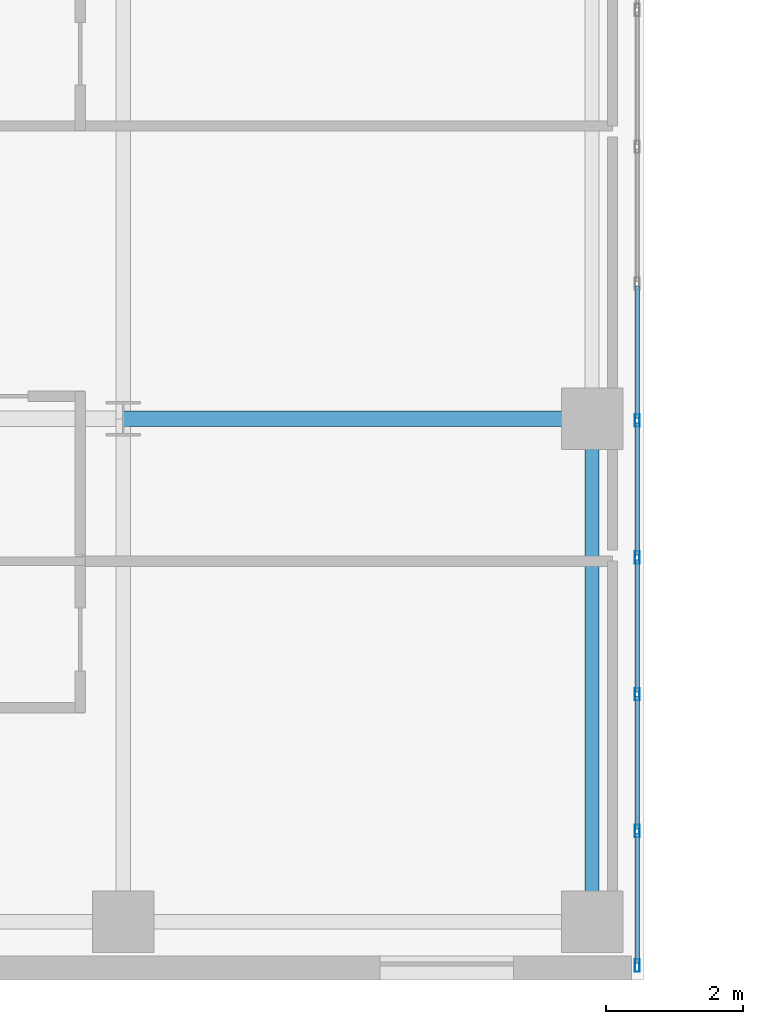
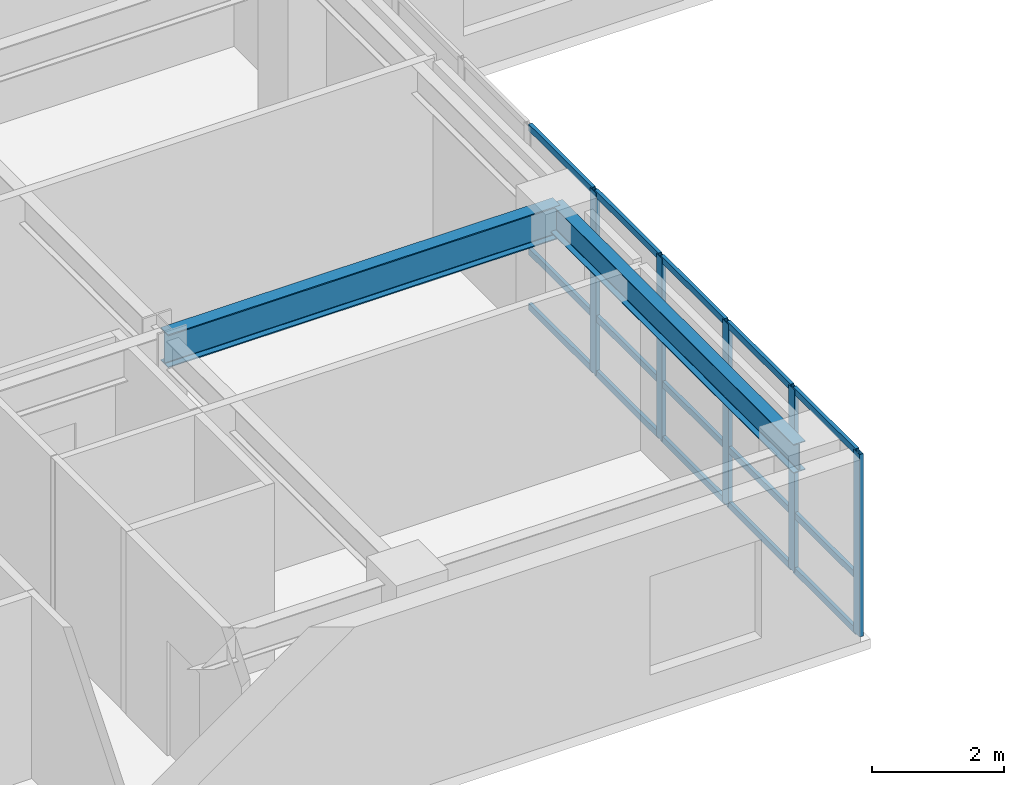
# One storey, part 6 of 30: 20 members, 2 beams, 1 element without a shape of its own.
"""IFC4 building model written with IfcOpenShell, lengths in metres."""

import ifcopenshell
import ifcopenshell.guid

model = None  # the IFC model being written
_history = None  # IfcOwnerHistory: only IFC2X3 demands one
_inside = {}  # id of a spatial element -> (the spatial element, [elements in it])
_under = {}  # id of a project, library or spatial element -> (it, [spatial elements below it])
_declared = {}  # id of a project -> (the project, [libraries it declares])
_typed = {}  # id of a type object -> (the type object, [elements of that type])
_made_of = {}  # id of a material, layer set ... -> (it, [elements and type objects made of it])


def new_model(schema):
    """Start an empty IFC model of exactly this schema.

    Asked for "IFC4X3", IfcOpenShell would pick the latest addendum, in which some entities
    have other attributes; the version numbers below select the first issue.
    IFC2X3 requires an IfcOwnerHistory on every rooted entity: one is made here for all.
    """
    global model, _history
    if schema == "IFC4X3":
        model = ifcopenshell.file(schema_version=(4, 3, 0, 0))
    else:
        model = ifcopenshell.file(schema=schema)
    _inside.clear()
    _under.clear()
    _declared.clear()
    _typed.clear()
    _made_of.clear()
    _history = None
    if model.schema == "IFC2X3":
        org = make("IfcOrganization", Name="unknown")
        user = make(
            "IfcPersonAndOrganization",
            ThePerson=make("IfcPerson", FamilyName="unknown"),
            TheOrganization=org,
        )
        app = make(
            "IfcApplication",
            ApplicationDeveloper=org,
            Version="unknown",
            ApplicationFullName="unknown",
            ApplicationIdentifier="unknown",
        )
        _history = make(
            "IfcOwnerHistory",
            OwningUser=user,
            OwningApplication=app,
            ChangeAction="ADDED",
            CreationDate=0,
        )
    return model


def make(cls, **values):
    """One entity of the class cls with the attributes given. An attribute that is None is left unset."""
    return model.create_entity(
        cls, **{name: value for name, value in values.items() if value is not None}
    )


def rooted(cls, **values):
    """An entity with a GlobalId (a new one), such as an element, a storey or a relation."""
    return make(cls, GlobalId=ifcopenshell.guid.new(), OwnerHistory=_history, **values)


def si_unit(unit_type, name, prefix=None):
    """IfcSIUnit, for example si_unit("LENGTHUNIT", "METRE", prefix="MILLI")."""
    return make("IfcSIUnit", UnitType=unit_type, Prefix=prefix, Name=name)


def assignment(units):
    """IfcUnitAssignment: the units of a project."""
    return None if units is None else make("IfcUnitAssignment", Units=units)


def point(xyz):
    """IfcCartesianPoint."""
    return None if xyz is None else make("IfcCartesianPoint", Coordinates=xyz)


def direction(xyz):
    """IfcDirection."""
    return None if xyz is None else make("IfcDirection", DirectionRatios=xyz)


def frame(location, z_axis=None, x_axis=None):
    """IfcAxis2Placement3D, a coordinate frame: its origin and axes. An axis left out is left unset."""
    return make(
        "IfcAxis2Placement3D",
        Location=point(location),
        Axis=direction(z_axis),
        RefDirection=direction(x_axis),
    )


def frame_2d(location, x_axis=None):
    """IfcAxis2Placement2D, a coordinate frame in the plane: its origin and x axis."""
    return make(
        "IfcAxis2Placement2D", Location=point(location), RefDirection=direction(x_axis)
    )


def origin():
    """The frame at (0, 0, 0) with its axes left unset."""
    return frame((0.0, 0.0, 0.0))


def origin_2d():
    """The frame at (0, 0) in the plane with its x axis left unset."""
    return frame_2d((0.0, 0.0))


def place(relative_to, where):
    """IfcLocalPlacement: puts the frame where relative to a parent placement (None: the world)."""
    return make(
        "IfcLocalPlacement", PlacementRelTo=relative_to, RelativePlacement=where
    )


def context(
    kind, dimensions, precision=None, world=None, true_north=None, identifier=None
):
    """IfcGeometricRepresentationContext, for example the 3D "Model" context."""
    return make(
        "IfcGeometricRepresentationContext",
        ContextIdentifier=identifier,
        ContextType=kind,
        CoordinateSpaceDimension=dimensions,
        Precision=precision,
        WorldCoordinateSystem=world,
        TrueNorth=true_north,
    )


def subcontext(parent, identifier, kind, view, scale=None):
    """IfcGeometricRepresentationSubContext, for example "Body" below "Model"."""
    return make(
        "IfcGeometricRepresentationSubContext",
        ContextIdentifier=identifier,
        ContextType=kind,
        ParentContext=parent,
        TargetScale=scale,
        TargetView=view,
    )


def project(units=None, contexts=None):
    """IfcProject with its units and contexts."""
    return rooted(
        "IfcProject",
        Name="project",
        RepresentationContexts=contexts,
        UnitsInContext=assignment(units),
    )


def spatial(cls, under=None, at=None, **own):
    """A site, building, storey or space (cls), placed at a placement, below another one or the project."""
    s = rooted(cls, ObjectPlacement=at, **own)
    if under is not None:
        _under.setdefault(under.id(), (under, []))[1].append(s)
    return s


def profile(cls, at=None, kind="AREA", **sizes):
    """A parametric profile (cls). Its sizes go by their IFC names, for example OverallWidth=200.0."""
    return make(cls, ProfileType=kind, Position=at, **sizes)


def hollow_rectangle(**sizes):
    """IfcRectangleHollowProfileDef."""
    return profile("IfcRectangleHollowProfileDef", **sizes)


def i_section(**sizes):
    """IfcIShapeProfileDef."""
    return profile("IfcIShapeProfileDef", **sizes)


def extrude(swept, where, along, depth):
    """IfcExtrudedAreaSolid: the profile swept, set in the frame where, extruded along a direction by depth."""
    return make(
        "IfcExtrudedAreaSolid",
        SweptArea=swept,
        Position=where,
        ExtrudedDirection=direction(along),
        Depth=depth,
    )


def shape(context_of_items, identifier, shape_type, items):
    """IfcShapeRepresentation: the items that make up one representation, for example the "Body"."""
    return make(
        "IfcShapeRepresentation",
        ContextOfItems=context_of_items,
        RepresentationIdentifier=identifier,
        RepresentationType=shape_type,
        Items=items,
    )


def source(mapping_origin, context_of_items, identifier, shape_type, items):
    """IfcRepresentationMap: a shape defined once, which mapped items show again and again."""
    return make(
        "IfcRepresentationMap",
        MappingOrigin=mapping_origin,
        MappedRepresentation=shape(context_of_items, identifier, shape_type, items),
    )


def transform(
    local_origin,
    x_axis=None,
    y_axis=None,
    z_axis=None,
    scale=None,
    scale2=None,
    scale3=None,
    uniform=True,
):
    """IfcCartesianTransformationOperator3D, or its non-uniform kind. x_axis, y_axis, z_axis: its Axis1, 2, 3."""
    if uniform:
        return make(
            "IfcCartesianTransformationOperator3D",
            Axis1=direction(x_axis),
            Axis2=direction(y_axis),
            LocalOrigin=point(local_origin),
            Scale=scale,
            Axis3=direction(z_axis),
        )
    return make(
        "IfcCartesianTransformationOperator3DnonUniform",
        Axis1=direction(x_axis),
        Axis2=direction(y_axis),
        LocalOrigin=point(local_origin),
        Scale=scale,
        Axis3=direction(z_axis),
        Scale2=scale2,
        Scale3=scale3,
    )


def mapped(mapping_source, mapping_target):
    """IfcMappedItem: shows the shape of a source again, moved by a transform."""
    return make(
        "IfcMappedItem", MappingSource=mapping_source, MappingTarget=mapping_target
    )


def material(Name=None, Category=None):
    """IfcMaterial."""
    return make("IfcMaterial", Name=Name, Category=Category)


def layer(
    of_material, thickness, ventilated=None, Name=None, Category=None, Priority=None
):
    """IfcMaterialLayer: one layer of a wall or slab, of a material (None: an air gap)."""
    return make(
        "IfcMaterialLayer",
        Material=of_material,
        LayerThickness=thickness,
        IsVentilated=ventilated,
        Name=Name,
        Category=Category,
        Priority=Priority,
    )


def layer_set(layers, Name=None):
    """IfcMaterialLayerSet."""
    return make("IfcMaterialLayerSet", MaterialLayers=layers, LayerSetName=Name)


def material_profile(
    of_material, cross_section, Name=None, Category=None, Priority=None
):
    """IfcMaterialProfile: a cross section and its material."""
    return make(
        "IfcMaterialProfile",
        Name=Name,
        Material=of_material,
        Profile=cross_section,
        Priority=Priority,
        Category=Category,
    )


def profile_set(profiles, Name=None, composite=None):
    """IfcMaterialProfileSet."""
    return make(
        "IfcMaterialProfileSet",
        Name=Name,
        MaterialProfiles=profiles,
        CompositeProfile=composite,
    )


def made_of(thing, what):
    """Note that an element or type object is made of a material, layer set ...; save() writes the relation."""
    if what is not None:
        _made_of.setdefault(what.id(), (what, []))[1].append(thing)
    return thing


def type_object(cls, material=None, **own):
    """A type object (cls), such as IfcWallType, which elements share."""
    return made_of(rooted(cls, **own), material)


def type_shapes(of_type, sources):
    """Give a type object the sources (RepresentationMaps) that its elements show as mapped items."""
    of_type.RepresentationMaps = sources


def element(
    cls,
    number,
    at=None,
    inside=None,
    cuts=None,
    type_object=None,
    material=None,
    context=None,
    identifier="Body",
    shape_type=None,
    held_by="IfcProductDefinitionShape",
    body=None,
    shapes=None,
    **own,
):
    """One element of the class cls, such as IfcWall. Its Tag is "e" and its number.

    at: its placement. inside: the storey or other place that contains it. cuts: it is an
    opening in that element (IfcRelVoidsElement). A single representation is given by context,
    identifier, shape_type and body (its items); several are given by shapes. held_by: the class
    of the entity that holds the representations. save() writes the other relations.
    """
    e = rooted(cls, Tag="e%d" % number, ObjectPlacement=at, **own)
    if body is not None:
        shapes = [shape(context, identifier, shape_type, body)]
    if shapes is not None:
        e.Representation = make(held_by, Representations=shapes)
    if inside is not None:
        _inside.setdefault(inside.id(), (inside, []))[1].append(e)
    if cuts is not None:
        rooted(
            "IfcRelVoidsElement", RelatingBuildingElement=cuts, RelatedOpeningElement=e
        )
    if type_object is not None:
        _typed.setdefault(type_object.id(), (type_object, []))[1].append(e)
    return made_of(e, material)


def aggregate(whole, parts):
    """IfcRelAggregates: a whole, such as a stair, and the parts it consists of."""
    return rooted("IfcRelAggregates", RelatingObject=whole, RelatedObjects=parts)


def save(model, path):
    """Write the relations noted so far, then the file.

    IfcRelAggregates (storeys below a building ...), IfcRelContainedInSpatialStructure (elements
    in a storey), IfcRelDefinesByType, IfcRelAssociatesMaterial and IfcRelDeclares: one each for
    every whole, place, type object, material and project.
    """
    for whole, parts in _under.values():
        aggregate(whole, parts)
    for where, things in _inside.values():
        rooted(
            "IfcRelContainedInSpatialStructure",
            RelatedElements=things,
            RelatingStructure=where,
        )
    for kind, things in _typed.values():
        rooted("IfcRelDefinesByType", RelatedObjects=things, RelatingType=kind)
    for what, things in _made_of.values():
        rooted("IfcRelAssociatesMaterial", RelatedObjects=things, RelatingMaterial=what)
    for by, libraries in _declared.values():
        rooted("IfcRelDeclares", RelatingContext=by, RelatedDefinitions=libraries)
    model.write(path)


model = new_model("IFC4")

# Units and contexts
model_context = context("Model", 3, precision=1e-05, world=origin(), true_north=direction((0.0, 1.0)))
body_context = subcontext(model_context, "Body", "Model", "MODEL_VIEW")
ifc_project = project(units=[si_unit("LENGTHUNIT", "METRE"), si_unit("AREAUNIT", "SQUARE_METRE"), si_unit("VOLUMEUNIT", "CUBIC_METRE"), si_unit("PLANEANGLEUNIT", "RADIAN"), si_unit("MASSUNIT", "GRAM", prefix="KILO")], contexts=[model_context])

# Site, building, storey
site_placement = place(None, origin())
site = spatial("IfcSite", under=ifc_project, at=site_placement, CompositionType="ELEMENT")
building_placement = place(site_placement, origin())
building = spatial("IfcBuilding", under=site, at=building_placement, Name="Tolvann Quenvar Hotel", CompositionType="ELEMENT")
storey_placement = place(building_placement, frame((0.0, 0.0, 100.89990234375)))
storey = spatial("IfcBuildingStorey", under=building, at=storey_placement, Name="L25", CompositionType="ELEMENT", Elevation=100.89990234375)

# Beams
ifc_material_1 = material(Name="Steel Grade 350", Category="steel")
ifc_material_profile_1 = material_profile(ifc_material_1, i_section(OverallWidth=0.22900390625, OverallDepth=0.612060546875, WebThickness=0.011962890625, FlangeThickness=0.01953125, FilletRadius=0.013916015625, at=origin_2d()), Name="610UB125")
ifc_profile_set_1 = profile_set([ifc_material_profile_1], Name="Steel Grade 350")
beam_type_1 = type_object("IfcBeamType", Name="BM_GIRD_610UB125", PredefinedType="BEAM", material=ifc_profile_set_1)
shared_shape_1 = source(origin(), body_context, "Body", "SweptSolid", [
    extrude(i_section(OverallWidth=0.22900390625, OverallDepth=0.612060546875, WebThickness=0.011962890625, FlangeThickness=0.01953125, FilletRadius=0.013916015625, at=origin_2d()), origin(), (0.0, 0.0, 1.0), 6.85009765625),
])
type_shapes(beam_type_1, [shared_shape_1])
beam_1_placement = place(storey_placement, frame((15.199951171875, 8.199951171875, 3.064208984375), z_axis=(1.0, 0.0, 0.0), x_axis=(0.0, 1.0, 0.0)))
element("IfcBeam", 1, at=beam_1_placement, inside=storey, type_object=beam_type_1, Name="BM-L25-EW-3-D3-E3", PredefinedType="BEAM", context=body_context, shape_type="MappedRepresentation", body=[
    mapped(shared_shape_1, transform((0.0, 0.0, 0.0), x_axis=(1.0, 0.0, 0.0), y_axis=(0.0, 1.0, 0.0), z_axis=(0.0, 0.0, 1.0), scale=1.0)),
])
ifc_material_profile_2 = material_profile(ifc_material_1, i_section(OverallWidth=0.208984375, OverallDepth=0.532958984375, WebThickness=0.01025390625, FlangeThickness=0.015625, FilletRadius=0.013916015625, at=origin_2d()), Name="530UB92")
ifc_profile_set_2 = profile_set([ifc_material_profile_2], Name="Steel Grade 350")
beam_type_2 = type_object("IfcBeamType", Name="BM_GIRD_530UB92", PredefinedType="BEAM", material=ifc_profile_set_2)
shared_shape_2 = source(origin(), body_context, "Body", "SweptSolid", [
    extrude(i_section(OverallWidth=0.208984375, OverallDepth=0.532958984375, WebThickness=0.01025390625, FlangeThickness=0.015625, FilletRadius=0.013916015625, at=origin_2d()), origin(), (0.0, 0.0, 1.0), 7.349853515625),
])
type_shapes(beam_type_2, [shared_shape_2])
beam_2_placement = place(storey_placement, frame((22.050048828125, 0.85009765625, 3.103515625), z_axis=(0.0, 1.0, 0.0), x_axis=(-1.0, 0.0, 0.0)))
element("IfcBeam", 2, at=beam_2_placement, inside=storey, type_object=beam_type_2, Name="BM-L25-NS-E2-E3", PredefinedType="BEAM", context=body_context, shape_type="MappedRepresentation", body=[
    mapped(shared_shape_2, transform((0.0, 0.0, 0.0), x_axis=(1.0, 0.0, 0.0), y_axis=(0.0, 1.0, 0.0), z_axis=(0.0, 0.0, 1.0), scale=1.0)),
])

# Curtain wall, members
ifc_material_2 = material(Name="Thermally broken anodised architectural aluminium 6063-T6 and laminated low-E glass", Category="aluminium")
ifc_layer = layer(ifc_material_2, 0.179931640625)
ifc_layer_set = layer_set([ifc_layer], Name="Thermally broken anodised architectural aluminium 6063-T6 and laminated low-E glass")
curtain_wall_type = type_object("IfcCurtainWallType", Name="CW_SYS_SLOT_03", PredefinedType="USERDEFINED", material=ifc_layer_set)
curtain_wall_placement = place(storey_placement, origin())
curtain_wall = element("IfcCurtainWall", 3, at=curtain_wall_placement, inside=storey, type_object=curtain_wall_type, Name="Curtain Wall CW-SLOT-03 (CWR-L25-E05)", ObjectType="UNITISED CURTAIN WALL", PredefinedType="USERDEFINED")
ifc_material_3 = material(Name="Anodised architectural aluminium 6063-T6 framing", Category="aluminium")
ifc_material_profile_3 = material_profile(ifc_material_3, hollow_rectangle(XDim=0.070068359375, YDim=0.179931640625, WallThickness=0.00390625, at=origin_2d()), Name="180x70x4RHS")
ifc_profile_set_3 = profile_set([ifc_material_profile_3], Name="Anodised architectural aluminium 6063-T6 framing")
member_type_1 = type_object("IfcMemberType", Name="CW_MULL_180x70", PredefinedType="MULLION", material=ifc_profile_set_3)
shared_shape_3 = source(origin(), body_context, "Body", "SweptSolid", [
    extrude(hollow_rectangle(XDim=0.070068359375, YDim=0.179931640625, WallThickness=0.00390625, at=origin_2d()), origin(), (0.0, 0.0, 1.0), 3.3701171875),
])
type_shapes(member_type_1, [shared_shape_3])
member_1_placement = place(storey_placement, frame((22.7099609375, 0.2099609375, 0.0), z_axis=(0.0, 0.0, 1.0), x_axis=(-1.0, 0.0, 0.0)))
member_1 = element("IfcMember", 4, at=member_1_placement, type_object=member_type_1, Name="CW-SLOT-03 mullion 1", PredefinedType="MULLION", context=body_context, shape_type="MappedRepresentation", body=[
    mapped(shared_shape_3, transform((0.0, 0.0, 0.0), x_axis=(1.0, 0.0, 0.0), y_axis=(0.0, 1.0, 0.0), z_axis=(0.0, 0.0, 1.0), scale=1.0)),
])
member_2_placement = place(storey_placement, frame((22.7099609375, 2.175048828125, 0.0), z_axis=(0.0, 0.0, 1.0), x_axis=(-1.0, 0.0, 0.0)))
member_2 = element("IfcMember", 5, at=member_2_placement, type_object=member_type_1, Name="CW-SLOT-03 mullion 2", PredefinedType="MULLION", context=body_context, shape_type="MappedRepresentation", body=[
    mapped(shared_shape_3, transform((0.0, 0.0, 0.0), x_axis=(1.0, 0.0, 0.0), y_axis=(0.0, 1.0, 0.0), z_axis=(0.0, 0.0, 1.0), scale=1.0)),
])
member_3_placement = place(storey_placement, frame((22.7099609375, 4.175048828125, 0.0), z_axis=(0.0, 0.0, 1.0), x_axis=(-1.0, 0.0, 0.0)))
member_3 = element("IfcMember", 6, at=member_3_placement, type_object=member_type_1, Name="CW-SLOT-03 mullion 3", PredefinedType="MULLION", context=body_context, shape_type="MappedRepresentation", body=[
    mapped(shared_shape_3, transform((0.0, 0.0, 0.0), x_axis=(1.0, 0.0, 0.0), y_axis=(0.0, 1.0, 0.0), z_axis=(0.0, 0.0, 1.0), scale=1.0)),
])
member_4_placement = place(storey_placement, frame((22.7099609375, 6.175048828125, 0.0), z_axis=(0.0, 0.0, 1.0), x_axis=(-1.0, 0.0, 0.0)))
member_4 = element("IfcMember", 7, at=member_4_placement, type_object=member_type_1, Name="CW-SLOT-03 mullion 4", PredefinedType="MULLION", context=body_context, shape_type="MappedRepresentation", body=[
    mapped(shared_shape_3, transform((0.0, 0.0, 0.0), x_axis=(1.0, 0.0, 0.0), y_axis=(0.0, 1.0, 0.0), z_axis=(0.0, 0.0, 1.0), scale=1.0)),
])
member_5_placement = place(storey_placement, frame((22.7099609375, 8.175048828125, 0.0), z_axis=(0.0, 0.0, 1.0), x_axis=(-1.0, 0.0, 0.0)))
member_5 = element("IfcMember", 8, at=member_5_placement, type_object=member_type_1, Name="CW-SLOT-03 mullion 5", PredefinedType="MULLION", context=body_context, shape_type="MappedRepresentation", body=[
    mapped(shared_shape_3, transform((0.0, 0.0, 0.0), x_axis=(1.0, 0.0, 0.0), y_axis=(0.0, 1.0, 0.0), z_axis=(0.0, 0.0, 1.0), scale=1.0)),
])
ifc_material_profile_4 = material_profile(ifc_material_3, hollow_rectangle(XDim=0.06005859375, YDim=0.1201171875, WallThickness=0.00341796875, at=origin_2d()), Name="120x60x3.5RHS")
ifc_profile_set_4 = profile_set([ifc_material_profile_4], Name="Anodised architectural aluminium 6063-T6 framing")
member_type_2 = type_object("IfcMemberType", Name="CW_TRAN_120x60", PredefinedType="USERDEFINED", material=ifc_profile_set_4)
shared_shape_4 = source(origin(), body_context, "Body", "SweptSolid", [
    extrude(hollow_rectangle(XDim=0.06005859375, YDim=0.1201171875, WallThickness=0.00341796875, at=origin_2d()), origin(), (0.0, 0.0, 1.0), 1.894775390625),
])
member_6_placement = place(storey_placement, frame((22.7099609375, 0.2451171875, 0.030029296875), z_axis=(0.0, 1.0, 0.0), x_axis=(-1.0, 0.0, 0.0)))
member_6 = element("IfcMember", 9, at=member_6_placement, type_object=member_type_2, Name="CW-SLOT-03 transom 1.1", ObjectType="TRANSOM", PredefinedType="USERDEFINED", context=body_context, shape_type="MappedRepresentation", body=[
    mapped(shared_shape_4, transform((0.0, 0.0, 0.0), x_axis=(1.0, 0.0, 0.0), y_axis=(0.0, 1.0, 0.0), z_axis=(0.0, 0.0, 1.0), scale=1.0)),
])
member_7_placement = place(storey_placement, frame((22.7099609375, 0.2451171875, 1.050048828125), z_axis=(0.0, 1.0, 0.0), x_axis=(-1.0, 0.0, 0.0)))
member_7 = element("IfcMember", 10, at=member_7_placement, type_object=member_type_2, Name="CW-SLOT-03 transom 1.2", ObjectType="TRANSOM", PredefinedType="USERDEFINED", context=body_context, shape_type="MappedRepresentation", body=[
    mapped(shared_shape_4, transform((0.0, 0.0, 0.0), x_axis=(1.0, 0.0, 0.0), y_axis=(0.0, 1.0, 0.0), z_axis=(0.0, 0.0, 1.0), scale=1.0)),
])
member_8_placement = place(storey_placement, frame((22.7099609375, 0.2451171875, 3.340087890625), z_axis=(0.0, 1.0, 0.0), x_axis=(-1.0, 0.0, 0.0)))
member_8 = element("IfcMember", 11, at=member_8_placement, type_object=member_type_2, Name="CW-SLOT-03 transom 1.3", ObjectType="TRANSOM", PredefinedType="USERDEFINED", context=body_context, shape_type="MappedRepresentation", body=[
    mapped(shared_shape_4, transform((0.0, 0.0, 0.0), x_axis=(1.0, 0.0, 0.0), y_axis=(0.0, 1.0, 0.0), z_axis=(0.0, 0.0, 1.0), scale=1.0)),
])
shared_shape_5 = source(origin(), body_context, "Body", "SweptSolid", [
    extrude(hollow_rectangle(XDim=0.06005859375, YDim=0.1201171875, WallThickness=0.00341796875, at=origin_2d()), origin(), (0.0, 0.0, 1.0), 1.929931640625),
])
type_shapes(member_type_2, [shared_shape_4, shared_shape_5])
member_9_placement = place(storey_placement, frame((22.7099609375, 2.2099609375, 0.030029296875), z_axis=(0.0, 1.0, 0.0), x_axis=(-1.0, 0.0, 0.0)))
member_9 = element("IfcMember", 12, at=member_9_placement, type_object=member_type_2, Name="CW-SLOT-03 transom 2.1", ObjectType="TRANSOM", PredefinedType="USERDEFINED", context=body_context, shape_type="MappedRepresentation", body=[
    mapped(shared_shape_5, transform((0.0, 0.0, 0.0), x_axis=(1.0, 0.0, 0.0), y_axis=(0.0, 1.0, 0.0), z_axis=(0.0, 0.0, 1.0), scale=1.0)),
])
member_10_placement = place(storey_placement, frame((22.7099609375, 2.2099609375, 1.050048828125), z_axis=(0.0, 1.0, 0.0), x_axis=(-1.0, 0.0, 0.0)))
member_10 = element("IfcMember", 13, at=member_10_placement, type_object=member_type_2, Name="CW-SLOT-03 transom 2.2", ObjectType="TRANSOM", PredefinedType="USERDEFINED", context=body_context, shape_type="MappedRepresentation", body=[
    mapped(shared_shape_5, transform((0.0, 0.0, 0.0), x_axis=(1.0, 0.0, 0.0), y_axis=(0.0, 1.0, 0.0), z_axis=(0.0, 0.0, 1.0), scale=1.0)),
])
member_11_placement = place(storey_placement, frame((22.7099609375, 2.2099609375, 3.340087890625), z_axis=(0.0, 1.0, 0.0), x_axis=(-1.0, 0.0, 0.0)))
member_11 = element("IfcMember", 14, at=member_11_placement, type_object=member_type_2, Name="CW-SLOT-03 transom 2.3", ObjectType="TRANSOM", PredefinedType="USERDEFINED", context=body_context, shape_type="MappedRepresentation", body=[
    mapped(shared_shape_5, transform((0.0, 0.0, 0.0), x_axis=(1.0, 0.0, 0.0), y_axis=(0.0, 1.0, 0.0), z_axis=(0.0, 0.0, 1.0), scale=1.0)),
])
member_12_placement = place(storey_placement, frame((22.7099609375, 4.2099609375, 0.030029296875), z_axis=(0.0, 1.0, 0.0), x_axis=(-1.0, 0.0, 0.0)))
member_12 = element("IfcMember", 15, at=member_12_placement, type_object=member_type_2, Name="CW-SLOT-03 transom 3.1", ObjectType="TRANSOM", PredefinedType="USERDEFINED", context=body_context, shape_type="MappedRepresentation", body=[
    mapped(shared_shape_5, transform((0.0, 0.0, 0.0), x_axis=(1.0, 0.0, 0.0), y_axis=(0.0, 1.0, 0.0), z_axis=(0.0, 0.0, 1.0), scale=1.0)),
])
member_13_placement = place(storey_placement, frame((22.7099609375, 4.2099609375, 1.050048828125), z_axis=(0.0, 1.0, 0.0), x_axis=(-1.0, 0.0, 0.0)))
member_13 = element("IfcMember", 16, at=member_13_placement, type_object=member_type_2, Name="CW-SLOT-03 transom 3.2", ObjectType="TRANSOM", PredefinedType="USERDEFINED", context=body_context, shape_type="MappedRepresentation", body=[
    mapped(shared_shape_5, transform((0.0, 0.0, 0.0), x_axis=(1.0, 0.0, 0.0), y_axis=(0.0, 1.0, 0.0), z_axis=(0.0, 0.0, 1.0), scale=1.0)),
])
member_14_placement = place(storey_placement, frame((22.7099609375, 4.2099609375, 3.340087890625), z_axis=(0.0, 1.0, 0.0), x_axis=(-1.0, 0.0, 0.0)))
member_14 = element("IfcMember", 17, at=member_14_placement, type_object=member_type_2, Name="CW-SLOT-03 transom 3.3", ObjectType="TRANSOM", PredefinedType="USERDEFINED", context=body_context, shape_type="MappedRepresentation", body=[
    mapped(shared_shape_5, transform((0.0, 0.0, 0.0), x_axis=(1.0, 0.0, 0.0), y_axis=(0.0, 1.0, 0.0), z_axis=(0.0, 0.0, 1.0), scale=1.0)),
])
member_15_placement = place(storey_placement, frame((22.7099609375, 6.2099609375, 0.030029296875), z_axis=(0.0, 1.0, 0.0), x_axis=(-1.0, 0.0, 0.0)))
member_15 = element("IfcMember", 18, at=member_15_placement, type_object=member_type_2, Name="CW-SLOT-03 transom 4.1", ObjectType="TRANSOM", PredefinedType="USERDEFINED", context=body_context, shape_type="MappedRepresentation", body=[
    mapped(shared_shape_5, transform((0.0, 0.0, 0.0), x_axis=(1.0, 0.0, 0.0), y_axis=(0.0, 1.0, 0.0), z_axis=(0.0, 0.0, 1.0), scale=1.0)),
])
member_16_placement = place(storey_placement, frame((22.7099609375, 6.2099609375, 1.050048828125), z_axis=(0.0, 1.0, 0.0), x_axis=(-1.0, 0.0, 0.0)))
member_16 = element("IfcMember", 19, at=member_16_placement, type_object=member_type_2, Name="CW-SLOT-03 transom 4.2", ObjectType="TRANSOM", PredefinedType="USERDEFINED", context=body_context, shape_type="MappedRepresentation", body=[
    mapped(shared_shape_5, transform((0.0, 0.0, 0.0), x_axis=(1.0, 0.0, 0.0), y_axis=(0.0, 1.0, 0.0), z_axis=(0.0, 0.0, 1.0), scale=1.0)),
])
member_17_placement = place(storey_placement, frame((22.7099609375, 6.2099609375, 3.340087890625), z_axis=(0.0, 1.0, 0.0), x_axis=(-1.0, 0.0, 0.0)))
member_17 = element("IfcMember", 20, at=member_17_placement, type_object=member_type_2, Name="CW-SLOT-03 transom 4.3", ObjectType="TRANSOM", PredefinedType="USERDEFINED", context=body_context, shape_type="MappedRepresentation", body=[
    mapped(shared_shape_5, transform((0.0, 0.0, 0.0), x_axis=(1.0, 0.0, 0.0), y_axis=(0.0, 1.0, 0.0), z_axis=(0.0, 0.0, 1.0), scale=1.0)),
])
member_18_placement = place(storey_placement, frame((22.7099609375, 8.2099609375, 0.030029296875), z_axis=(0.0, 1.0, 0.0), x_axis=(-1.0, 0.0, 0.0)))
member_18 = element("IfcMember", 21, at=member_18_placement, type_object=member_type_2, Name="CW-SLOT-03 transom 5.1", ObjectType="TRANSOM", PredefinedType="USERDEFINED", context=body_context, shape_type="MappedRepresentation", body=[
    mapped(shared_shape_5, transform((0.0, 0.0, 0.0), x_axis=(1.0, 0.0, 0.0), y_axis=(0.0, 1.0, 0.0), z_axis=(0.0, 0.0, 1.0), scale=1.0)),
])
member_19_placement = place(storey_placement, frame((22.7099609375, 8.2099609375, 1.050048828125), z_axis=(0.0, 1.0, 0.0), x_axis=(-1.0, 0.0, 0.0)))
member_19 = element("IfcMember", 22, at=member_19_placement, type_object=member_type_2, Name="CW-SLOT-03 transom 5.2", ObjectType="TRANSOM", PredefinedType="USERDEFINED", context=body_context, shape_type="MappedRepresentation", body=[
    mapped(shared_shape_5, transform((0.0, 0.0, 0.0), x_axis=(1.0, 0.0, 0.0), y_axis=(0.0, 1.0, 0.0), z_axis=(0.0, 0.0, 1.0), scale=1.0)),
])
member_20_placement = place(storey_placement, frame((22.7099609375, 8.2099609375, 3.340087890625), z_axis=(0.0, 1.0, 0.0), x_axis=(-1.0, 0.0, 0.0)))
member_20 = element("IfcMember", 23, at=member_20_placement, type_object=member_type_2, Name="CW-SLOT-03 transom 5.3", ObjectType="TRANSOM", PredefinedType="USERDEFINED", context=body_context, shape_type="MappedRepresentation", body=[
    mapped(shared_shape_5, transform((0.0, 0.0, 0.0), x_axis=(1.0, 0.0, 0.0), y_axis=(0.0, 1.0, 0.0), z_axis=(0.0, 0.0, 1.0), scale=1.0)),
])
aggregate(curtain_wall, [member_1, member_2, member_3, member_4, member_5, member_6, member_7, member_8, member_9, member_10, member_11, member_12, member_13, member_14, member_15, member_16, member_17, member_18, member_19, member_20])

save(model, "model.ifc")
